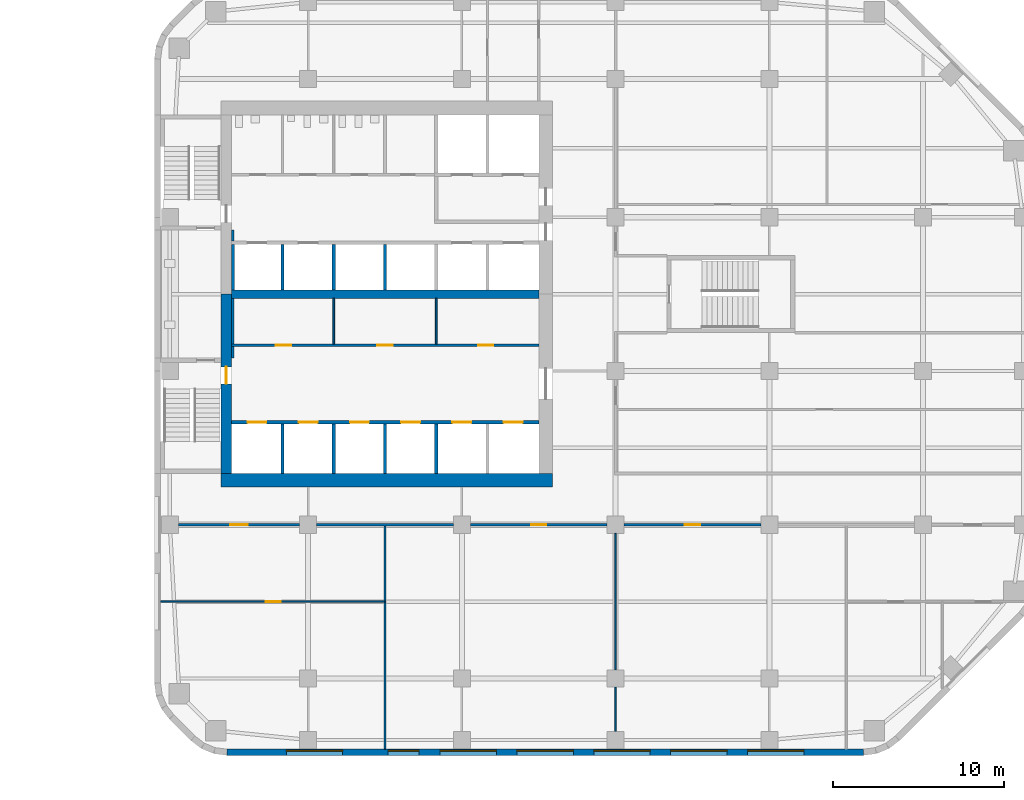
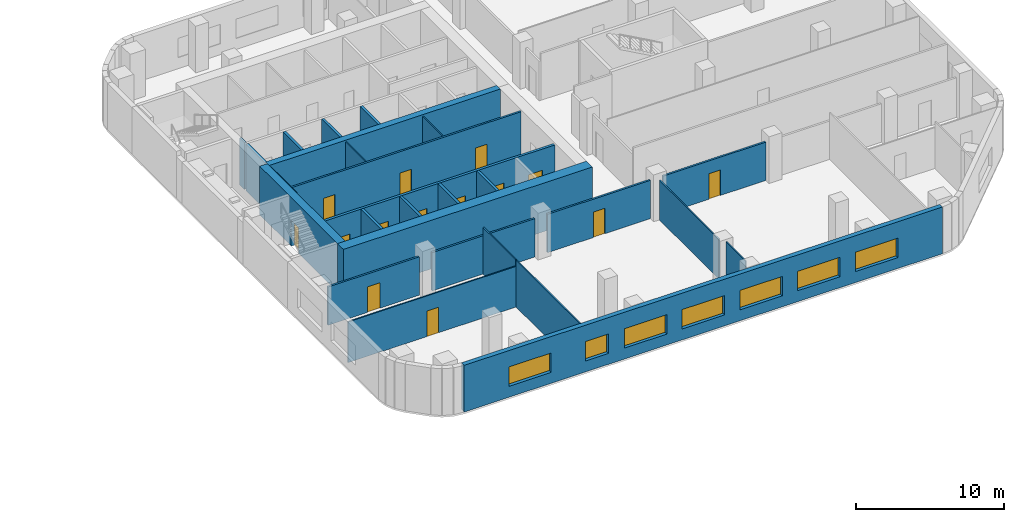
# One storey, part 8 of 14: 28 walls, 14 doors, 7 windows, 21 openings.
"""IFC4 building model written with IfcOpenShell, lengths in metres."""

from ifc_helpers import new_model, si_unit, direction, frame, frame_2d, origin, place, context, subcontext, project, spatial, rectangle, extrude, material, layer, layer_set, type_object, element, fill, save


model = new_model("IFC4")

# Units and contexts
model_context = context("Model", 3, precision=1e-05, world=origin(), true_north=direction((0.0, 1.0)))
body_context = subcontext(model_context, "Body", "Model", "MODEL_VIEW")
ifc_project = project(units=[si_unit("LENGTHUNIT", "METRE"), si_unit("AREAUNIT", "SQUARE_METRE"), si_unit("VOLUMEUNIT", "CUBIC_METRE"), si_unit("PLANEANGLEUNIT", "RADIAN"), si_unit("MASSUNIT", "GRAM", prefix="KILO")], contexts=[model_context])

# Site, building, storey
site_placement = place(None, origin())
site = spatial("IfcSite", under=ifc_project, at=site_placement, CompositionType="ELEMENT")
building_placement = place(site_placement, origin())
building = spatial("IfcBuilding", under=site, at=building_placement, Name="Cinnabar Reach Civic Tower", CompositionType="ELEMENT")
storey_placement = place(building_placement, frame((0.0, 0.0, 136.0)))
storey = spatial("IfcBuildingStorey", under=building, at=storey_placement, Name="L32", CompositionType="ELEMENT", Elevation=136.0)

# Wall, openings, windows
ifc_material_1 = material(Name="Facing brick with insulated backing", Category="masonry")
ifc_layer_1 = layer(ifc_material_1, 0.36)
ifc_layer_set_1 = layer_set([ifc_layer_1], Name="Brick pier and spandrel wall")
wall_type_1 = type_object("IfcWallType", Name="Brick pier and spandrel wall", PredefinedType="STANDARD", material=ifc_layer_set_1)
wall_1_placement = place(storey_placement, frame((4.2426, 4.68, 0.0), z_axis=(0.0, 0.0, 1.0), x_axis=(1.0, 0.0, 0.0)))
wall_1 = element("IfcWall", 1, at=wall_1_placement, inside=storey, type_object=wall_type_1, Name="Brick facade wall", PredefinedType="STANDARD", context=body_context, shape_type="SweptSolid", body=[
    extrude(rectangle(XDim=37.2648, YDim=0.36, at=frame_2d((18.6324, 0.0))), origin(), (0.0, 0.0, 1.0), 3.85),
])
opening_1_placement = place(wall_1_placement, frame((3.4824, 0.0, 0.9)))
opening_1 = element("IfcOpeningElement", 2, at=opening_1_placement, cuts=wall_1, Name="Opening W1677", PredefinedType="OPENING", context=body_context, shape_type="SweptSolid", body=[
    extrude(rectangle(XDim=3.3, YDim=1.6, at=frame_2d((1.65, 0.8))), frame((0.0, 0.19, 0.0), z_axis=(0.0, -1.0, 0.0), x_axis=(1.0, 0.0, 0.0)), (0.0, 0.0, 1.0), 0.38),
])
opening_2_placement = place(wall_1_placement, frame((9.4324, 0.0, 0.9)))
opening_2 = element("IfcOpeningElement", 3, at=opening_2_placement, cuts=wall_1, Name="Opening W1678", PredefinedType="OPENING", context=body_context, shape_type="SweptSolid", body=[
    extrude(rectangle(XDim=1.8, YDim=1.6, at=frame_2d((0.9, 0.8))), frame((0.0, 0.19, 0.0), z_axis=(0.0, -1.0, 0.0), x_axis=(1.0, 0.0, 0.0)), (0.0, 0.0, 1.0), 0.38),
])
opening_3_placement = place(wall_1_placement, frame((12.4824, 0.0, 0.9)))
opening_3 = element("IfcOpeningElement", 4, at=opening_3_placement, cuts=wall_1, Name="Opening W1679", PredefinedType="OPENING", context=body_context, shape_type="SweptSolid", body=[
    extrude(rectangle(XDim=3.3, YDim=1.6, at=frame_2d((1.65, 0.8))), frame((0.0, 0.19, 0.0), z_axis=(0.0, -1.0, 0.0), x_axis=(1.0, 0.0, 0.0)), (0.0, 0.0, 1.0), 0.38),
])
opening_4_placement = place(wall_1_placement, frame((16.9824, 0.0, 0.9)))
opening_4 = element("IfcOpeningElement", 5, at=opening_4_placement, cuts=wall_1, Name="Opening W1680", PredefinedType="OPENING", context=body_context, shape_type="SweptSolid", body=[
    extrude(rectangle(XDim=3.3, YDim=1.6, at=frame_2d((1.65, 0.8))), frame((0.0, 0.19, 0.0), z_axis=(0.0, -1.0, 0.0), x_axis=(1.0, 0.0, 0.0)), (0.0, 0.0, 1.0), 0.38),
])
opening_5_placement = place(wall_1_placement, frame((21.4824, 0.0, 0.9)))
opening_5 = element("IfcOpeningElement", 6, at=opening_5_placement, cuts=wall_1, Name="Opening W1681", PredefinedType="OPENING", context=body_context, shape_type="SweptSolid", body=[
    extrude(rectangle(XDim=3.3, YDim=1.6, at=frame_2d((1.65, 0.8))), frame((0.0, 0.19, 0.0), z_axis=(0.0, -1.0, 0.0), x_axis=(1.0, 0.0, 0.0)), (0.0, 0.0, 1.0), 0.38),
])
opening_6_placement = place(wall_1_placement, frame((25.9824, 0.0, 0.9)))
opening_6 = element("IfcOpeningElement", 7, at=opening_6_placement, cuts=wall_1, Name="Opening W1682", PredefinedType="OPENING", context=body_context, shape_type="SweptSolid", body=[
    extrude(rectangle(XDim=3.3, YDim=1.6, at=frame_2d((1.65, 0.8))), frame((0.0, 0.19, 0.0), z_axis=(0.0, -1.0, 0.0), x_axis=(1.0, 0.0, 0.0)), (0.0, 0.0, 1.0), 0.38),
])
opening_7_placement = place(wall_1_placement, frame((30.4824, 0.0, 0.9)))
opening_7 = element("IfcOpeningElement", 8, at=opening_7_placement, cuts=wall_1, Name="Opening W1683", PredefinedType="OPENING", context=body_context, shape_type="SweptSolid", body=[
    extrude(rectangle(XDim=3.3, YDim=1.6, at=frame_2d((1.65, 0.8))), frame((0.0, 0.19, 0.0), z_axis=(0.0, -1.0, 0.0), x_axis=(1.0, 0.0, 0.0)), (0.0, 0.0, 1.0), 0.38),
])
ifc_material_2 = material(Name="Clear double glazing in aluminium frame", Category="aluminium")
window_type_1 = type_object("IfcWindowType", Name="Deep-set window A", PartitioningType="SINGLE_PANEL", PredefinedType="WINDOW", material=ifc_material_2)
window_1_placement = place(opening_1_placement, origin())
window_1 = element("IfcWindow", 9, at=window_1_placement, inside=storey, type_object=window_type_1, Name="Window south face", OverallHeight=1.6, OverallWidth=3.3, PartitioningType="SINGLE_PANEL", PredefinedType="WINDOW", context=body_context, shape_type="SweptSolid", body=[
    extrude(rectangle(XDim=3.3, YDim=1.6, at=frame_2d((1.65, 0.8))), frame((0.0, 0.13, 0.0), z_axis=(0.0, -1.0, 0.0), x_axis=(1.0, 0.0, 0.0)), (0.0, 0.0, 1.0), 0.06),
])
fill(opening_1, window_1)
window_2_placement = place(opening_3_placement, origin())
window_2 = element("IfcWindow", 10, at=window_2_placement, inside=storey, type_object=window_type_1, Name="Window south face", OverallHeight=1.6, OverallWidth=3.3, PartitioningType="SINGLE_PANEL", PredefinedType="WINDOW", context=body_context, shape_type="SweptSolid", body=[
    extrude(rectangle(XDim=3.3, YDim=1.6, at=frame_2d((1.65, 0.8))), frame((0.0, 0.13, 0.0), z_axis=(0.0, -1.0, 0.0), x_axis=(1.0, 0.0, 0.0)), (0.0, 0.0, 1.0), 0.06),
])
fill(opening_3, window_2)
window_3_placement = place(opening_4_placement, origin())
window_3 = element("IfcWindow", 11, at=window_3_placement, inside=storey, type_object=window_type_1, Name="Window south face", OverallHeight=1.6, OverallWidth=3.3, PartitioningType="SINGLE_PANEL", PredefinedType="WINDOW", context=body_context, shape_type="SweptSolid", body=[
    extrude(rectangle(XDim=3.3, YDim=1.6, at=frame_2d((1.65, 0.8))), frame((0.0, 0.13, 0.0), z_axis=(0.0, -1.0, 0.0), x_axis=(1.0, 0.0, 0.0)), (0.0, 0.0, 1.0), 0.06),
])
fill(opening_4, window_3)
window_4_placement = place(opening_5_placement, origin())
window_4 = element("IfcWindow", 12, at=window_4_placement, inside=storey, type_object=window_type_1, Name="Window south face", OverallHeight=1.6, OverallWidth=3.3, PartitioningType="SINGLE_PANEL", PredefinedType="WINDOW", context=body_context, shape_type="SweptSolid", body=[
    extrude(rectangle(XDim=3.3, YDim=1.6, at=frame_2d((1.65, 0.8))), frame((0.0, 0.13, 0.0), z_axis=(0.0, -1.0, 0.0), x_axis=(1.0, 0.0, 0.0)), (0.0, 0.0, 1.0), 0.06),
])
fill(opening_5, window_4)
window_5_placement = place(opening_6_placement, origin())
window_5 = element("IfcWindow", 13, at=window_5_placement, inside=storey, type_object=window_type_1, Name="Window south face", OverallHeight=1.6, OverallWidth=3.3, PartitioningType="SINGLE_PANEL", PredefinedType="WINDOW", context=body_context, shape_type="SweptSolid", body=[
    extrude(rectangle(XDim=3.3, YDim=1.6, at=frame_2d((1.65, 0.8))), frame((0.0, 0.13, 0.0), z_axis=(0.0, -1.0, 0.0), x_axis=(1.0, 0.0, 0.0)), (0.0, 0.0, 1.0), 0.06),
])
fill(opening_6, window_5)
window_6_placement = place(opening_7_placement, origin())
window_6 = element("IfcWindow", 14, at=window_6_placement, inside=storey, type_object=window_type_1, Name="Window south face", OverallHeight=1.6, OverallWidth=3.3, PartitioningType="SINGLE_PANEL", PredefinedType="WINDOW", context=body_context, shape_type="SweptSolid", body=[
    extrude(rectangle(XDim=3.3, YDim=1.6, at=frame_2d((1.65, 0.8))), frame((0.0, 0.13, 0.0), z_axis=(0.0, -1.0, 0.0), x_axis=(1.0, 0.0, 0.0)), (0.0, 0.0, 1.0), 0.06),
])
fill(opening_7, window_6)
window_type_2 = type_object("IfcWindowType", Name="Deep-set window D", PartitioningType="SINGLE_PANEL", PredefinedType="WINDOW", material=ifc_material_2)
window_7_placement = place(opening_2_placement, origin())
window_7 = element("IfcWindow", 15, at=window_7_placement, inside=storey, type_object=window_type_2, Name="Window south face", OverallHeight=1.6, OverallWidth=1.8, PartitioningType="SINGLE_PANEL", PredefinedType="WINDOW", context=body_context, shape_type="SweptSolid", body=[
    extrude(rectangle(XDim=1.8, YDim=1.6, at=frame_2d((0.9, 0.8))), frame((0.0, 0.13, 0.0), z_axis=(0.0, -1.0, 0.0), x_axis=(1.0, 0.0, 0.0)), (0.0, 0.0, 1.0), 0.06),
])
fill(opening_2, window_7)

# Wall
ifc_material_3 = material(Name="Concrete C60", Category="concrete")
ifc_layer_2 = layer(ifc_material_3, 0.5)
ifc_layer_set_2 = layer_set([ifc_layer_2], Name="Core wall 500 EI 180")
wall_type_2 = type_object("IfcWallType", Name="Core wall 500 EI 180", PredefinedType="SOLIDWALL", material=ifc_layer_set_2)
wall_2_placement = place(storey_placement, frame((4.5, 31.5, 0.0), z_axis=(0.0, 0.0, 1.0), x_axis=(1.0, 0.0, 0.0)))
element("IfcWall", 16, at=wall_2_placement, inside=storey, type_object=wall_type_2, Name="Core spine wall T1 L32", PredefinedType="SOLIDWALL", context=body_context, shape_type="SweptSolid", body=[
    extrude(rectangle(XDim=18.0, YDim=0.5, at=frame_2d((9.0, 0.0))), origin(), (0.0, 0.0, 1.0), 4.0),
])

# Wall, opening, door
ifc_material_4 = material(Name="Concrete C70", Category="concrete")
ifc_layer_3 = layer(ifc_material_4, 0.6)
ifc_layer_set_3 = layer_set([ifc_layer_3], Name="Core wall 600 EI 180")
wall_type_3 = type_object("IfcWallType", Name="Core wall 600 EI 180", PredefinedType="SOLIDWALL", material=ifc_layer_set_3)
wall_3_placement = place(storey_placement, frame((4.2, 31.5, 0.0), z_axis=(0.0, 0.0, 1.0), x_axis=(0.0, -1.0, 0.0)))
wall_3 = element("IfcWall", 17, at=wall_3_placement, inside=storey, type_object=wall_type_3, Name="Core wall T1 L32 W2", PredefinedType="SOLIDWALL", context=body_context, shape_type="SweptSolid", body=[
    extrude(rectangle(XDim=10.5, YDim=0.6, at=frame_2d((5.25, 0.0))), origin(), (0.0, 0.0, 1.0), 4.0),
])
opening_8_placement = place(wall_3_placement, frame((4.25, 0.0, 0.0)))
opening_8 = element("IfcOpeningElement", 18, at=opening_8_placement, cuts=wall_3, Name="Opening D4290", PredefinedType="OPENING", context=body_context, shape_type="SweptSolid", body=[
    extrude(rectangle(XDim=1.0, YDim=2.1, at=frame_2d((0.5, 1.05))), frame((0.0, 0.31, 0.0), z_axis=(0.0, -1.0, 0.0), x_axis=(1.0, 0.0, 0.0)), (0.0, 0.0, 1.0), 0.62),
])
ifc_material_5 = material(Name="Timber door leaf in steel frame", Category="steel")
door_type_1 = type_object("IfcDoorType", Name="Stair door 1000 x 2100 T1", OperationType="SINGLE_SWING_LEFT", PredefinedType="DOOR", material=ifc_material_5)
door_1_placement = place(opening_8_placement, frame((1.0, 0.0, 0.0), z_axis=(0.0, 0.0, 1.0), x_axis=(-1.0, 0.0, 0.0)))
door_1 = element("IfcDoor", 19, at=door_1_placement, inside=storey, type_object=door_type_1, Name="Door D4290", OperationType="SINGLE_SWING_RIGHT", OverallHeight=2.1, OverallWidth=1.0, PredefinedType="DOOR", context=body_context, shape_type="SweptSolid", body=[
    extrude(rectangle(XDim=1.0, YDim=2.1, at=frame_2d((0.5, 1.05))), frame((0.0, 0.025, 0.0), z_axis=(0.0, -1.0, 0.0), x_axis=(1.0, 0.0, 0.0)), (0.0, 0.0, 1.0), 0.05),
])
fill(opening_8, door_1)

# Wall
ifc_layer_4 = layer(ifc_material_4, 0.8)
ifc_layer_set_4 = layer_set([ifc_layer_4], Name="Core wall 800 EI 180")
wall_type_4 = type_object("IfcWallType", Name="Core wall 800 EI 180", PredefinedType="SOLIDWALL", material=ifc_layer_set_4)
wall_4_placement = place(storey_placement, frame((3.9, 20.6, 0.0), z_axis=(0.0, 0.0, 1.0), x_axis=(1.0, 0.0, 0.0)))
element("IfcWall", 20, at=wall_4_placement, inside=storey, type_object=wall_type_4, Name="Core wall T1 L32 S", PredefinedType="SOLIDWALL", context=body_context, shape_type="SweptSolid", body=[
    extrude(rectangle(XDim=19.4, YDim=0.8, at=frame_2d((9.7, 0.0))), origin(), (0.0, 0.0, 1.0), 4.0),
])

# Wall, opening, door
ifc_material_6 = material(Name="Gypsum board on steel studs, double layer", Category="steel")
ifc_layer_5 = layer(ifc_material_6, 0.15)
ifc_layer_set_5 = layer_set([ifc_layer_5], Name="Corridor wall 150 T1")
wall_type_5 = type_object("IfcWallType", Name="Corridor wall 150 T1", PredefinedType="PARTITIONING", material=ifc_layer_set_5)
wall_5_placement = place(storey_placement, frame((27.5, 18.0, 0.0), z_axis=(0.0, 0.0, 1.0), x_axis=(1.0, 0.0, 0.0)))
wall_5 = element("IfcWall", 21, at=wall_5_placement, inside=storey, type_object=wall_type_5, Name="Corridor wall 21", PredefinedType="PARTITIONING", context=body_context, shape_type="SweptSolid", body=[
    extrude(rectangle(XDim=8.0, YDim=0.15, at=frame_2d((4.0, 0.0))), origin(), (0.0, 0.0, 1.0), 3.158),
])
opening_9_placement = place(wall_5_placement, frame((3.55, 0.0, 0.0)))
opening_9 = element("IfcOpeningElement", 22, at=opening_9_placement, cuts=wall_5, Name="Opening D4325", PredefinedType="OPENING", context=body_context, shape_type="SweptSolid", body=[
    extrude(rectangle(XDim=0.9, YDim=2.1, at=frame_2d((0.45, 1.05))), frame((0.0, 0.085, 0.0), z_axis=(0.0, -1.0, 0.0), x_axis=(1.0, 0.0, 0.0)), (0.0, 0.0, 1.0), 0.17),
])
door_type_2 = type_object("IfcDoorType", Name="Single swing door 900 x 2100 corridor T1", OperationType="SINGLE_SWING_LEFT", PredefinedType="DOOR", material=ifc_material_5)
door_2_placement = place(opening_9_placement, frame((0.9, 0.0, 0.0), z_axis=(0.0, 0.0, 1.0), x_axis=(-1.0, 0.0, 0.0)))
door_2 = element("IfcDoor", 23, at=door_2_placement, inside=storey, type_object=door_type_2, Name="Door D4325", OperationType="SINGLE_SWING_LEFT", OverallHeight=2.1, OverallWidth=0.9, PredefinedType="DOOR", context=body_context, shape_type="SweptSolid", body=[
    extrude(rectangle(XDim=0.9, YDim=2.1, at=frame_2d((0.45, 1.05))), frame((0.0, 0.025, 0.0), z_axis=(0.0, -1.0, 0.0), x_axis=(1.0, 0.0, 0.0)), (0.0, 0.0, 1.0), 0.05),
])
fill(opening_9, door_2)

wall_6_placement = place(storey_placement, frame((18.5, 18.0, 0.0), z_axis=(0.0, 0.0, 1.0), x_axis=(1.0, 0.0, 0.0)))
wall_6 = element("IfcWall", 24, at=wall_6_placement, inside=storey, type_object=wall_type_5, Name="Corridor wall 22", PredefinedType="PARTITIONING", context=body_context, shape_type="SweptSolid", body=[
    extrude(rectangle(XDim=8.0, YDim=0.15, at=frame_2d((4.0, 0.0))), origin(), (0.0, 0.0, 1.0), 3.158),
])
opening_10_placement = place(wall_6_placement, frame((3.55, 0.0, 0.0)))
opening_10 = element("IfcOpeningElement", 25, at=opening_10_placement, cuts=wall_6, Name="Opening D4324", PredefinedType="OPENING", context=body_context, shape_type="SweptSolid", body=[
    extrude(rectangle(XDim=0.9, YDim=2.1, at=frame_2d((0.45, 1.05))), frame((0.0, 0.085, 0.0), z_axis=(0.0, -1.0, 0.0), x_axis=(1.0, 0.0, 0.0)), (0.0, 0.0, 1.0), 0.17),
])
door_3_placement = place(opening_10_placement, frame((0.9, 0.0, 0.0), z_axis=(0.0, 0.0, 1.0), x_axis=(-1.0, 0.0, 0.0)))
door_3 = element("IfcDoor", 26, at=door_3_placement, inside=storey, type_object=door_type_2, Name="Door D4324", OperationType="SINGLE_SWING_RIGHT", OverallHeight=2.1, OverallWidth=0.9, PredefinedType="DOOR", context=body_context, shape_type="SweptSolid", body=[
    extrude(rectangle(XDim=0.9, YDim=2.1, at=frame_2d((0.45, 1.05))), frame((0.0, 0.025, 0.0), z_axis=(0.0, -1.0, 0.0), x_axis=(1.0, 0.0, 0.0)), (0.0, 0.0, 1.0), 0.05),
])
fill(opening_10, door_3)

# Wall
wall_7_placement = place(storey_placement, frame((9.5, 18.0, 0.0), z_axis=(0.0, 0.0, 1.0), x_axis=(1.0, 0.0, 0.0)))
element("IfcWall", 27, at=wall_7_placement, inside=storey, type_object=wall_type_5, Name="Corridor wall 23", PredefinedType="PARTITIONING", context=body_context, shape_type="SweptSolid", body=[
    extrude(rectangle(XDim=8.0, YDim=0.15, at=frame_2d((4.0, 0.0))), origin(), (0.0, 0.0, 1.0), 3.158),
])

# Wall, opening, door
wall_8_placement = place(storey_placement, frame((1.4, 18.0, 0.0), z_axis=(0.0, 0.0, 1.0), x_axis=(1.0, 0.0, 0.0)))
wall_8 = element("IfcWall", 28, at=wall_8_placement, inside=storey, type_object=wall_type_5, Name="Corridor wall 24", PredefinedType="PARTITIONING", context=body_context, shape_type="SweptSolid", body=[
    extrude(rectangle(XDim=7.1, YDim=0.15, at=frame_2d((3.55, 0.0))), origin(), (0.0, 0.0, 1.0), 3.158),
])
opening_11_placement = place(wall_8_placement, frame((3.05, 0.0, 0.0)))
opening_11 = element("IfcOpeningElement", 29, at=opening_11_placement, cuts=wall_8, Name="Opening D4322", PredefinedType="OPENING", context=body_context, shape_type="SweptSolid", body=[
    extrude(rectangle(XDim=1.0, YDim=2.1, at=frame_2d((0.5, 1.05))), frame((0.0, 0.085, 0.0), z_axis=(0.0, -1.0, 0.0), x_axis=(1.0, 0.0, 0.0)), (0.0, 0.0, 1.0), 0.17),
])
door_type_3 = type_object("IfcDoorType", Name="Tenancy entrance door 1000 x 2100 T1", OperationType="SINGLE_SWING_LEFT", PredefinedType="DOOR", material=ifc_material_5)
door_4_placement = place(opening_11_placement, frame((1.0, 0.0, 0.0), z_axis=(0.0, 0.0, 1.0), x_axis=(-1.0, 0.0, 0.0)))
door_4 = element("IfcDoor", 30, at=door_4_placement, inside=storey, type_object=door_type_3, Name="Door D4322", OperationType="SINGLE_SWING_RIGHT", OverallHeight=2.1, OverallWidth=1.0, PredefinedType="DOOR", context=body_context, shape_type="SweptSolid", body=[
    extrude(rectangle(XDim=1.0, YDim=2.1, at=frame_2d((0.5, 1.05))), frame((0.0, 0.025, 0.0), z_axis=(0.0, -1.0, 0.0), x_axis=(1.0, 0.0, 0.0)), (0.0, 0.0, 1.0), 0.05),
])
fill(opening_11, door_4)

# Wall, openings, doors
wall_9_placement = place(storey_placement, frame((4.5, 28.5, 0.0), z_axis=(0.0, 0.0, 1.0), x_axis=(1.0, 0.0, 0.0)))
wall_9 = element("IfcWall", 31, at=wall_9_placement, inside=storey, type_object=wall_type_5, Name="Corridor wall 26", PredefinedType="PARTITIONING", context=body_context, shape_type="SweptSolid", body=[
    extrude(rectangle(XDim=18.0, YDim=0.15, at=frame_2d((9.0, 0.0))), origin(), (0.0, 0.0, 1.0), 3.85),
])
opening_12_placement = place(wall_9_placement, frame((2.6, 0.0, 0.0)))
opening_12 = element("IfcOpeningElement", 32, at=opening_12_placement, cuts=wall_9, Name="Opening D4310", PredefinedType="OPENING", context=body_context, shape_type="SweptSolid", body=[
    extrude(rectangle(XDim=0.9, YDim=2.1, at=frame_2d((0.45, 1.05))), frame((0.0, 0.085, 0.0), z_axis=(0.0, -1.0, 0.0), x_axis=(1.0, 0.0, 0.0)), (0.0, 0.0, 1.0), 0.17),
])
opening_13_placement = place(wall_9_placement, frame((8.55, 0.0, 0.0)))
opening_13 = element("IfcOpeningElement", 33, at=opening_13_placement, cuts=wall_9, Name="Opening D4311", PredefinedType="OPENING", context=body_context, shape_type="SweptSolid", body=[
    extrude(rectangle(XDim=0.9, YDim=2.1, at=frame_2d((0.45, 1.05))), frame((0.0, 0.085, 0.0), z_axis=(0.0, -1.0, 0.0), x_axis=(1.0, 0.0, 0.0)), (0.0, 0.0, 1.0), 0.17),
])
opening_14_placement = place(wall_9_placement, frame((14.45, 0.0, 0.0)))
opening_14 = element("IfcOpeningElement", 34, at=opening_14_placement, cuts=wall_9, Name="Opening D4312", PredefinedType="OPENING", context=body_context, shape_type="SweptSolid", body=[
    extrude(rectangle(XDim=0.9, YDim=2.1, at=frame_2d((0.45, 1.05))), frame((0.0, 0.085, 0.0), z_axis=(0.0, -1.0, 0.0), x_axis=(1.0, 0.0, 0.0)), (0.0, 0.0, 1.0), 0.17),
])
door_5_placement = place(opening_12_placement, origin())
door_5 = element("IfcDoor", 35, at=door_5_placement, inside=storey, type_object=door_type_2, Name="Door D4310", OperationType="SINGLE_SWING_RIGHT", OverallHeight=2.1, OverallWidth=0.9, PredefinedType="DOOR", context=body_context, shape_type="SweptSolid", body=[
    extrude(rectangle(XDim=0.9, YDim=2.1, at=frame_2d((0.45, 1.05))), frame((0.0, 0.025, 0.0), z_axis=(0.0, -1.0, 0.0), x_axis=(1.0, 0.0, 0.0)), (0.0, 0.0, 1.0), 0.05),
])
fill(opening_12, door_5)
door_6_placement = place(opening_13_placement, origin())
door_6 = element("IfcDoor", 36, at=door_6_placement, inside=storey, type_object=door_type_2, Name="Door D4311", OperationType="SINGLE_SWING_LEFT", OverallHeight=2.1, OverallWidth=0.9, PredefinedType="DOOR", context=body_context, shape_type="SweptSolid", body=[
    extrude(rectangle(XDim=0.9, YDim=2.1, at=frame_2d((0.45, 1.05))), frame((0.0, 0.025, 0.0), z_axis=(0.0, -1.0, 0.0), x_axis=(1.0, 0.0, 0.0)), (0.0, 0.0, 1.0), 0.05),
])
fill(opening_13, door_6)
door_7_placement = place(opening_14_placement, origin())
door_7 = element("IfcDoor", 37, at=door_7_placement, inside=storey, type_object=door_type_2, Name="Door D4312", OperationType="SINGLE_SWING_LEFT", OverallHeight=2.1, OverallWidth=0.9, PredefinedType="DOOR", context=body_context, shape_type="SweptSolid", body=[
    extrude(rectangle(XDim=0.9, YDim=2.1, at=frame_2d((0.45, 1.05))), frame((0.0, 0.025, 0.0), z_axis=(0.0, -1.0, 0.0), x_axis=(1.0, 0.0, 0.0)), (0.0, 0.0, 1.0), 0.05),
])
fill(opening_14, door_7)

# Walls
wall_10_placement = place(storey_placement, frame((4.575, 27.75, 0.0), z_axis=(0.0, 0.0, 1.0), x_axis=(0.0, 1.0, 0.0)))
element("IfcWall", 38, at=wall_10_placement, inside=storey, type_object=wall_type_5, Name="Corridor wall 34", PredefinedType="PARTITIONING", context=body_context, shape_type="SweptSolid", body=[
    extrude(rectangle(XDim=0.675, YDim=0.15, at=frame_2d((0.3375, 0.0))), origin(), (0.0, 0.0, 1.0), 3.85),
])
wall_11_placement = place(storey_placement, frame((4.575, 28.575, 0.0), z_axis=(0.0, 0.0, 1.0), x_axis=(0.0, 1.0, 0.0)))
element("IfcWall", 39, at=wall_11_placement, inside=storey, type_object=wall_type_5, Name="Corridor wall 35", PredefinedType="PARTITIONING", context=body_context, shape_type="SweptSolid", body=[
    extrude(rectangle(XDim=2.675, YDim=0.15, at=frame_2d((1.3375, 0.0))), origin(), (0.0, 0.0, 1.0), 3.85),
])
wall_12_placement = place(storey_placement, frame((4.575, 34.6, 0.0), z_axis=(0.0, 0.0, 1.0), x_axis=(0.0, 1.0, 0.0)))
element("IfcWall", 40, at=wall_12_placement, inside=storey, type_object=wall_type_5, Name="Corridor wall 38", PredefinedType="PARTITIONING", context=body_context, shape_type="SweptSolid", body=[
    extrude(rectangle(XDim=0.65, YDim=0.15, at=frame_2d((0.325, 0.0))), origin(), (0.0, 0.0, 1.0), 3.85),
])

# Wall, openings, doors
ifc_material_7 = material(Name="Blockwork", Category="masonry")
ifc_layer_6 = layer(ifc_material_7, 0.2)
ifc_layer_set_6 = layer_set([ifc_layer_6], Name="Lift shaft wall 200 T1")
wall_type_6 = type_object("IfcWallType", Name="Lift shaft wall 200 T1", PredefinedType="PARTITIONING", material=ifc_layer_set_6)
wall_13_placement = place(storey_placement, frame((4.5, 24.0, 0.0), z_axis=(0.0, 0.0, 1.0), x_axis=(1.0, 0.0, 0.0)))
wall_13 = element("IfcWall", 41, at=wall_13_placement, inside=storey, type_object=wall_type_6, Name="Lift shaft wall 4", PredefinedType="PARTITIONING", context=body_context, shape_type="SweptSolid", body=[
    extrude(rectangle(XDim=18.0, YDim=0.2, at=frame_2d((9.0, 0.0))), origin(), (0.0, 0.0, 1.0), 3.85),
])
opening_15_placement = place(wall_13_placement, frame((0.95, 0.0, 0.0)))
opening_15 = element("IfcOpeningElement", 42, at=opening_15_placement, cuts=wall_13, Name="Opening D4294", PredefinedType="OPENING", context=body_context, shape_type="SweptSolid", body=[
    extrude(rectangle(XDim=1.1, YDim=2.1, at=frame_2d((0.55, 1.05))), frame((0.0, 0.11, 0.0), z_axis=(0.0, -1.0, 0.0), x_axis=(1.0, 0.0, 0.0)), (0.0, 0.0, 1.0), 0.22),
])
opening_16_placement = place(wall_13_placement, frame((3.95, 0.0, 0.0)))
opening_16 = element("IfcOpeningElement", 43, at=opening_16_placement, cuts=wall_13, Name="Opening D4295", PredefinedType="OPENING", context=body_context, shape_type="SweptSolid", body=[
    extrude(rectangle(XDim=1.1, YDim=2.1, at=frame_2d((0.55, 1.05))), frame((0.0, 0.11, 0.0), z_axis=(0.0, -1.0, 0.0), x_axis=(1.0, 0.0, 0.0)), (0.0, 0.0, 1.0), 0.22),
])
opening_17_placement = place(wall_13_placement, frame((6.95, 0.0, 0.0)))
opening_17 = element("IfcOpeningElement", 44, at=opening_17_placement, cuts=wall_13, Name="Opening D4296", PredefinedType="OPENING", context=body_context, shape_type="SweptSolid", body=[
    extrude(rectangle(XDim=1.1, YDim=2.1, at=frame_2d((0.55, 1.05))), frame((0.0, 0.11, 0.0), z_axis=(0.0, -1.0, 0.0), x_axis=(1.0, 0.0, 0.0)), (0.0, 0.0, 1.0), 0.22),
])
opening_18_placement = place(wall_13_placement, frame((9.95, 0.0, 0.0)))
opening_18 = element("IfcOpeningElement", 45, at=opening_18_placement, cuts=wall_13, Name="Opening D4297", PredefinedType="OPENING", context=body_context, shape_type="SweptSolid", body=[
    extrude(rectangle(XDim=1.1, YDim=2.1, at=frame_2d((0.55, 1.05))), frame((0.0, 0.11, 0.0), z_axis=(0.0, -1.0, 0.0), x_axis=(1.0, 0.0, 0.0)), (0.0, 0.0, 1.0), 0.22),
])
opening_19_placement = place(wall_13_placement, frame((12.95, 0.0, 0.0)))
opening_19 = element("IfcOpeningElement", 46, at=opening_19_placement, cuts=wall_13, Name="Opening D4298", PredefinedType="OPENING", context=body_context, shape_type="SweptSolid", body=[
    extrude(rectangle(XDim=1.1, YDim=2.1, at=frame_2d((0.55, 1.05))), frame((0.0, 0.11, 0.0), z_axis=(0.0, -1.0, 0.0), x_axis=(1.0, 0.0, 0.0)), (0.0, 0.0, 1.0), 0.22),
])
opening_20_placement = place(wall_13_placement, frame((15.95, 0.0, 0.0)))
opening_20 = element("IfcOpeningElement", 47, at=opening_20_placement, cuts=wall_13, Name="Opening D4299", PredefinedType="OPENING", context=body_context, shape_type="SweptSolid", body=[
    extrude(rectangle(XDim=1.1, YDim=2.1, at=frame_2d((0.55, 1.05))), frame((0.0, 0.11, 0.0), z_axis=(0.0, -1.0, 0.0), x_axis=(1.0, 0.0, 0.0)), (0.0, 0.0, 1.0), 0.22),
])
ifc_material_8 = material(Name="Stainless steel sliding door", Category="steel")
door_type_4 = type_object("IfcDoorType", Name="Lift landing door 1100 x 2100 T1", OperationType="SLIDING_TO_LEFT", PredefinedType="DOOR", material=ifc_material_8)
door_8_placement = place(opening_15_placement, origin())
door_8 = element("IfcDoor", 48, at=door_8_placement, inside=storey, type_object=door_type_4, Name="Lift landing door LR1 L32", OperationType="SLIDING_TO_LEFT", OverallHeight=2.1, OverallWidth=1.1, PredefinedType="DOOR", context=body_context, shape_type="SweptSolid", body=[
    extrude(rectangle(XDim=1.1, YDim=2.1, at=frame_2d((0.55, 1.05))), frame((0.0, 0.025, 0.0), z_axis=(0.0, -1.0, 0.0), x_axis=(1.0, 0.0, 0.0)), (0.0, 0.0, 1.0), 0.05),
])
fill(opening_15, door_8)
door_9_placement = place(opening_16_placement, origin())
door_9 = element("IfcDoor", 49, at=door_9_placement, inside=storey, type_object=door_type_4, Name="Lift landing door LR2 L32", OperationType="SLIDING_TO_LEFT", OverallHeight=2.1, OverallWidth=1.1, PredefinedType="DOOR", context=body_context, shape_type="SweptSolid", body=[
    extrude(rectangle(XDim=1.1, YDim=2.1, at=frame_2d((0.55, 1.05))), frame((0.0, 0.025, 0.0), z_axis=(0.0, -1.0, 0.0), x_axis=(1.0, 0.0, 0.0)), (0.0, 0.0, 1.0), 0.05),
])
fill(opening_16, door_9)
door_10_placement = place(opening_17_placement, origin())
door_10 = element("IfcDoor", 50, at=door_10_placement, inside=storey, type_object=door_type_4, Name="Lift landing door LR3 L32", OperationType="SLIDING_TO_LEFT", OverallHeight=2.1, OverallWidth=1.1, PredefinedType="DOOR", context=body_context, shape_type="SweptSolid", body=[
    extrude(rectangle(XDim=1.1, YDim=2.1, at=frame_2d((0.55, 1.05))), frame((0.0, 0.025, 0.0), z_axis=(0.0, -1.0, 0.0), x_axis=(1.0, 0.0, 0.0)), (0.0, 0.0, 1.0), 0.05),
])
fill(opening_17, door_10)
door_11_placement = place(opening_18_placement, origin())
door_11 = element("IfcDoor", 51, at=door_11_placement, inside=storey, type_object=door_type_4, Name="Lift landing door LR4 L32", OperationType="SLIDING_TO_LEFT", OverallHeight=2.1, OverallWidth=1.1, PredefinedType="DOOR", context=body_context, shape_type="SweptSolid", body=[
    extrude(rectangle(XDim=1.1, YDim=2.1, at=frame_2d((0.55, 1.05))), frame((0.0, 0.025, 0.0), z_axis=(0.0, -1.0, 0.0), x_axis=(1.0, 0.0, 0.0)), (0.0, 0.0, 1.0), 0.05),
])
fill(opening_18, door_11)
door_12_placement = place(opening_19_placement, origin())
door_12 = element("IfcDoor", 52, at=door_12_placement, inside=storey, type_object=door_type_4, Name="Lift landing door LR5 L32", OperationType="SLIDING_TO_LEFT", OverallHeight=2.1, OverallWidth=1.1, PredefinedType="DOOR", context=body_context, shape_type="SweptSolid", body=[
    extrude(rectangle(XDim=1.1, YDim=2.1, at=frame_2d((0.55, 1.05))), frame((0.0, 0.025, 0.0), z_axis=(0.0, -1.0, 0.0), x_axis=(1.0, 0.0, 0.0)), (0.0, 0.0, 1.0), 0.05),
])
fill(opening_19, door_12)
door_13_placement = place(opening_20_placement, origin())
door_13 = element("IfcDoor", 53, at=door_13_placement, inside=storey, type_object=door_type_4, Name="Lift landing door LR6 L32", OperationType="SLIDING_TO_LEFT", OverallHeight=2.1, OverallWidth=1.1, PredefinedType="DOOR", context=body_context, shape_type="SweptSolid", body=[
    extrude(rectangle(XDim=1.1, YDim=2.1, at=frame_2d((0.55, 1.05))), frame((0.0, 0.025, 0.0), z_axis=(0.0, -1.0, 0.0), x_axis=(1.0, 0.0, 0.0)), (0.0, 0.0, 1.0), 0.05),
])
fill(opening_20, door_13)

# Walls
wall_14_placement = place(storey_placement, frame((4.6, 31.75, 0.0), z_axis=(0.0, 0.0, 1.0), x_axis=(0.0, 1.0, 0.0)))
element("IfcWall", 54, at=wall_14_placement, inside=storey, type_object=wall_type_6, Name="Lift shaft wall 8", PredefinedType="PARTITIONING", context=body_context, shape_type="SweptSolid", body=[
    extrude(rectangle(XDim=2.65, YDim=0.2, at=frame_2d((1.325, 0.0))), origin(), (0.0, 0.0, 1.0), 3.85),
])
wall_15_placement = place(storey_placement, frame((7.5, 21.0, 0.0), z_axis=(0.0, 0.0, 1.0), x_axis=(0.0, 1.0, 0.0)))
element("IfcWall", 55, at=wall_15_placement, inside=storey, type_object=wall_type_6, Name="Lift shaft wall 9", PredefinedType="PARTITIONING", context=body_context, shape_type="SweptSolid", body=[
    extrude(rectangle(XDim=2.9, YDim=0.2, at=frame_2d((1.45, 0.0))), origin(), (0.0, 0.0, 1.0), 3.85),
])
wall_16_placement = place(storey_placement, frame((7.5, 31.75, 0.0), z_axis=(0.0, 0.0, 1.0), x_axis=(0.0, 1.0, 0.0)))
element("IfcWall", 56, at=wall_16_placement, inside=storey, type_object=wall_type_6, Name="Lift shaft wall 10", PredefinedType="PARTITIONING", context=body_context, shape_type="SweptSolid", body=[
    extrude(rectangle(XDim=2.65, YDim=0.2, at=frame_2d((1.325, 0.0))), origin(), (0.0, 0.0, 1.0), 3.85),
])
wall_17_placement = place(storey_placement, frame((10.5, 21.0, 0.0), z_axis=(0.0, 0.0, 1.0), x_axis=(0.0, 1.0, 0.0)))
element("IfcWall", 57, at=wall_17_placement, inside=storey, type_object=wall_type_6, Name="Lift shaft wall 11", PredefinedType="PARTITIONING", context=body_context, shape_type="SweptSolid", body=[
    extrude(rectangle(XDim=2.9, YDim=0.2, at=frame_2d((1.45, 0.0))), origin(), (0.0, 0.0, 1.0), 3.85),
])
wall_18_placement = place(storey_placement, frame((10.5, 31.75, 0.0), z_axis=(0.0, 0.0, 1.0), x_axis=(0.0, 1.0, 0.0)))
element("IfcWall", 58, at=wall_18_placement, inside=storey, type_object=wall_type_6, Name="Lift shaft wall 12", PredefinedType="PARTITIONING", context=body_context, shape_type="SweptSolid", body=[
    extrude(rectangle(XDim=2.65, YDim=0.2, at=frame_2d((1.325, 0.0))), origin(), (0.0, 0.0, 1.0), 3.85),
])
wall_19_placement = place(storey_placement, frame((13.5, 21.0, 0.0), z_axis=(0.0, 0.0, 1.0), x_axis=(0.0, 1.0, 0.0)))
element("IfcWall", 59, at=wall_19_placement, inside=storey, type_object=wall_type_6, Name="Lift shaft wall 13", PredefinedType="PARTITIONING", context=body_context, shape_type="SweptSolid", body=[
    extrude(rectangle(XDim=2.9, YDim=0.2, at=frame_2d((1.45, 0.0))), origin(), (0.0, 0.0, 1.0), 3.85),
])
wall_20_placement = place(storey_placement, frame((13.5, 31.75, 0.0), z_axis=(0.0, 0.0, 1.0), x_axis=(0.0, 1.0, 0.0)))
element("IfcWall", 60, at=wall_20_placement, inside=storey, type_object=wall_type_6, Name="Lift shaft wall 14", PredefinedType="PARTITIONING", context=body_context, shape_type="SweptSolid", body=[
    extrude(rectangle(XDim=2.65, YDim=0.2, at=frame_2d((1.325, 0.0))), origin(), (0.0, 0.0, 1.0), 3.85),
])
wall_21_placement = place(storey_placement, frame((16.5, 21.0, 0.0), z_axis=(0.0, 0.0, 1.0), x_axis=(0.0, 1.0, 0.0)))
element("IfcWall", 61, at=wall_21_placement, inside=storey, type_object=wall_type_6, Name="Lift shaft wall 15", PredefinedType="PARTITIONING", context=body_context, shape_type="SweptSolid", body=[
    extrude(rectangle(XDim=2.9, YDim=0.2, at=frame_2d((1.45, 0.0))), origin(), (0.0, 0.0, 1.0), 3.85),
])

# Wall, opening, door
ifc_material_9 = material(Name="Gypsum board on steel studs", Category="steel")
ifc_layer_7 = layer(ifc_material_9, 0.1)
ifc_layer_set_7 = layer_set([ifc_layer_7], Name="Partition wall 100 T1")
wall_type_7 = type_object("IfcWallType", Name="Partition wall 100 T1", PredefinedType="PARTITIONING", material=ifc_layer_set_7)
wall_22_placement = place(storey_placement, frame((0.36, 13.5, 0.0), z_axis=(0.0, 0.0, 1.0), x_axis=(1.0, 0.0, 0.0)))
wall_22 = element("IfcWall", 62, at=wall_22_placement, inside=storey, type_object=wall_type_7, Name="Partition wall 43", PredefinedType="PARTITIONING", context=body_context, shape_type="SweptSolid", body=[
    extrude(rectangle(XDim=13.19, YDim=0.1, at=frame_2d((6.595, 0.0))), origin(), (0.0, 0.0, 1.0), 3.354),
])
opening_21_placement = place(wall_22_placement, frame((6.15, 0.0, 0.0)))
opening_21 = element("IfcOpeningElement", 63, at=opening_21_placement, cuts=wall_22, Name="Opening D4323", PredefinedType="OPENING", context=body_context, shape_type="SweptSolid", body=[
    extrude(rectangle(XDim=0.9, YDim=2.1, at=frame_2d((0.45, 1.05))), frame((0.0, 0.06, 0.0), z_axis=(0.0, -1.0, 0.0), x_axis=(1.0, 0.0, 0.0)), (0.0, 0.0, 1.0), 0.12),
])
door_type_5 = type_object("IfcDoorType", Name="Single swing door 900 x 2100 T1", OperationType="SINGLE_SWING_LEFT", PredefinedType="DOOR", material=ifc_material_5)
door_14_placement = place(opening_21_placement, origin())
door_14 = element("IfcDoor", 64, at=door_14_placement, inside=storey, type_object=door_type_5, Name="Door D4323", OperationType="SINGLE_SWING_RIGHT", OverallHeight=2.1, OverallWidth=0.9, PredefinedType="DOOR", context=body_context, shape_type="SweptSolid", body=[
    extrude(rectangle(XDim=0.9, YDim=2.1, at=frame_2d((0.45, 1.05))), frame((0.0, 0.025, 0.0), z_axis=(0.0, -1.0, 0.0), x_axis=(1.0, 0.0, 0.0)), (0.0, 0.0, 1.0), 0.05),
])
fill(opening_21, door_14)

# Walls
wall_23_placement = place(storey_placement, frame((13.5, 13.55, 0.0), z_axis=(0.0, 0.0, 1.0), x_axis=(0.0, 1.0, 0.0)))
element("IfcWall", 65, at=wall_23_placement, inside=storey, type_object=wall_type_7, Name="Partition wall 44", PredefinedType="PARTITIONING", context=body_context, shape_type="SweptSolid", body=[
    extrude(rectangle(XDim=4.375, YDim=0.1, at=frame_2d((2.1875, 0.0))), origin(), (0.0, 0.0, 1.0), 3.85),
])
wall_24_placement = place(storey_placement, frame((13.5, 4.86, 0.0), z_axis=(0.0, 0.0, 1.0), x_axis=(0.0, 1.0, 0.0)))
element("IfcWall", 66, at=wall_24_placement, inside=storey, type_object=wall_type_7, Name="Partition wall 45", PredefinedType="PARTITIONING", context=body_context, shape_type="SweptSolid", body=[
    extrude(rectangle(XDim=8.59, YDim=0.1, at=frame_2d((4.295, 0.0))), origin(), (0.0, 0.0, 1.0), 3.85),
])
wall_25_placement = place(storey_placement, frame((27.0, 5.9, 0.0), z_axis=(0.0, 0.0, 1.0), x_axis=(0.0, 1.0, 0.0)))
element("IfcWall", 67, at=wall_25_placement, inside=storey, type_object=wall_type_7, Name="Partition wall 46", PredefinedType="PARTITIONING", context=body_context, shape_type="SweptSolid", body=[
    extrude(rectangle(XDim=2.6, YDim=0.1, at=frame_2d((1.3, 0.0))), origin(), (0.0, 0.0, 1.0), 3.652),
])
wall_26_placement = place(storey_placement, frame((27.0, 9.5, 0.0), z_axis=(0.0, 0.0, 1.0), x_axis=(0.0, 1.0, 0.0)))
element("IfcWall", 68, at=wall_26_placement, inside=storey, type_object=wall_type_7, Name="Partition wall 47", PredefinedType="PARTITIONING", context=body_context, shape_type="SweptSolid", body=[
    extrude(rectangle(XDim=8.0, YDim=0.1, at=frame_2d((4.0, 0.0))), origin(), (0.0, 0.0, 1.0), 3.256),
])
for number, where, z_axis, x_axis, name in (
    (69, (10.5, 28.575, 0.0), (0.0, 0.0, 1.0), (0.0, 1.0, 0.0), "Partition wall 55"),
    (70, (16.5, 28.575, 0.0), (0.0, 0.0, 1.0), (0.0, 1.0, 0.0), "Partition wall 56"),
):
    element("IfcWall", number, at=place(storey_placement, frame(where, z_axis=z_axis, x_axis=x_axis)), inside=storey, type_object=wall_type_7, Name=name, PredefinedType="PARTITIONING", context=body_context, shape_type="SweptSolid", body=[
        extrude(rectangle(XDim=2.675, YDim=0.1, at=frame_2d((1.3375, 0.0))), origin(), (0.0, 0.0, 1.0), 3.85),
    ])

save(model, "model.ifc")
